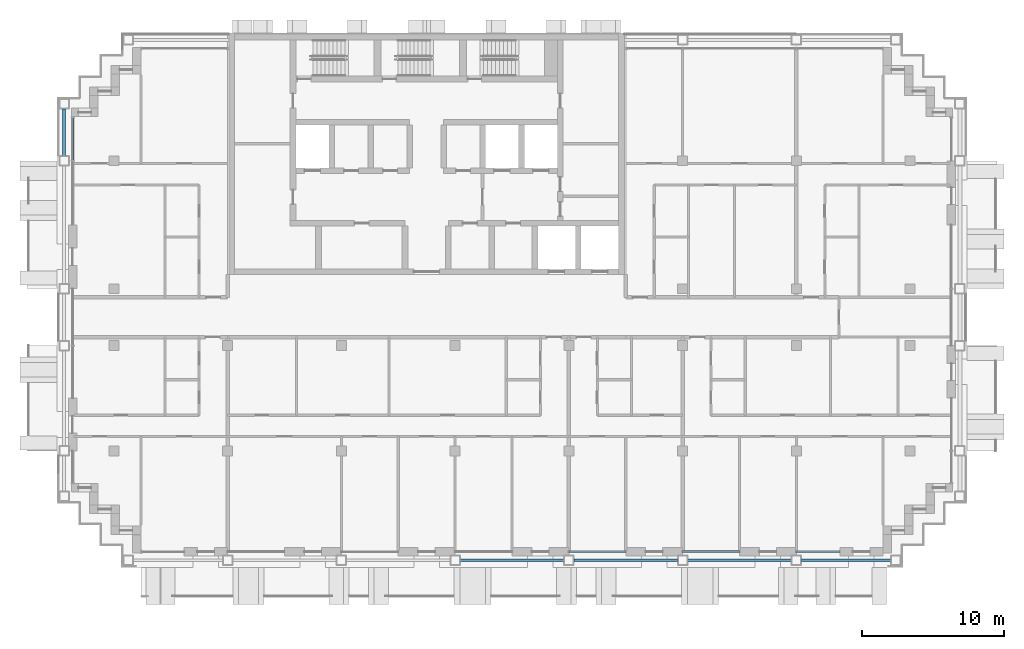
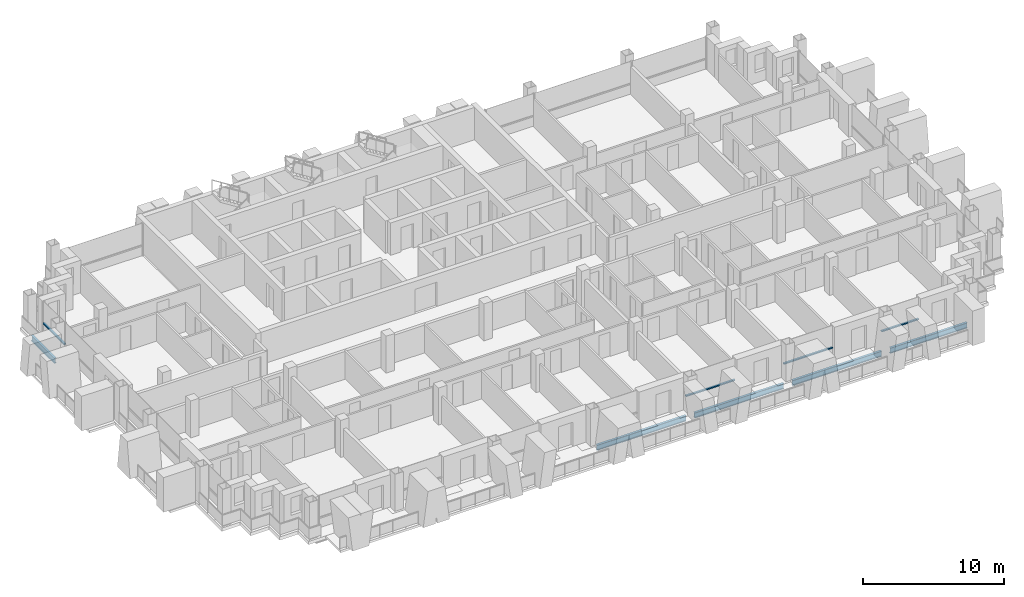
# One storey, part 3 of 16: 5 beams, 4 members, 4 elements without a shape of their own.
"""IFC4 building model written with IfcOpenShell, lengths in metres."""

from ifc_helpers import new_model, si_unit, direction, frame, origin, origin_2d, place, context, subcontext, project, spatial, rectangle, i_section, extrude, material, material_profile, profile_set, type_object, element, aggregate, save


model = new_model("IFC4")

# Units and contexts
model_context = context("Model", 3, precision=1e-05, world=origin(), true_north=direction((0.0, 1.0)))
body_context = subcontext(model_context, "Body", "Model", "MODEL_VIEW")
ifc_project = project(units=[si_unit("LENGTHUNIT", "METRE"), si_unit("AREAUNIT", "SQUARE_METRE"), si_unit("VOLUMEUNIT", "CUBIC_METRE"), si_unit("PLANEANGLEUNIT", "RADIAN"), si_unit("MASSUNIT", "GRAM", prefix="KILO")], contexts=[model_context])

# Site, building, storey
site_placement = place(None, origin())
site = spatial("IfcSite", under=ifc_project, at=site_placement, CompositionType="ELEMENT")
building_placement = place(site_placement, origin())
building = spatial("IfcBuilding", under=site, at=building_placement, Name="Vidyagriha Tower", CompositionType="ELEMENT")
storey_placement = place(building_placement, frame((0.0, 0.0, 190.89990234375)))
storey = spatial("IfcBuildingStorey", under=building, at=storey_placement, Name="L50", CompositionType="ELEMENT", Elevation=190.89990234375)

# Beams
ifc_material_1 = material(Name="Steel ASTM A992 Grade 50", Category="steel")
ifc_material_profile_1 = material_profile(ifc_material_1, i_section(OverallWidth=0.19189453125, OverallDepth=0.46240234375, WebThickness=0.010498046875, FlangeThickness=0.017578125, at=origin_2d()), Name="W18X60")
ifc_profile_set_1 = profile_set([ifc_material_profile_1], Name="Steel ASTM A992 Grade 50")
beam_type = type_object("IfcBeamType", Name="Edge beam W18X60", PredefinedType="SPANDREL", material=ifc_profile_set_1)
for number, where, z_axis, x_axis, name in (
    (1, (2.35009765625, -17.10009765625, -0.510986328125), (1.0, 0.0, 0.0), (0.0, 1.0, 0.0), "st-beam-L50-S04"),
    (2, (10.35009765625, -17.10009765625, -0.510986328125), (1.0, 0.0, 0.0), (0.0, 1.0, 0.0), "st-beam-L50-S05"),
    (3, (18.35009765625, -17.10009765625, -0.510986328125), (1.0, 0.0, 0.0), (0.0, 1.0, 0.0), "st-beam-L50-S06"),
):
    element("IfcBeam", number, at=place(storey_placement, frame(where, z_axis=z_axis, x_axis=x_axis)), inside=storey, type_object=beam_type, Name=name, PredefinedType="SPANDREL", context=body_context, shape_type="SweptSolid", body=[
        extrude(i_section(OverallWidth=0.19189453125, OverallDepth=0.46240234375, WebThickness=0.010498046875, FlangeThickness=0.017578125, at=origin_2d()), origin(), (0.0, 0.0, 1.0), 7.2998046875),
    ])
beam_1_placement = place(storey_placement, frame((26.35009765625, -17.10009765625, -0.510986328125), z_axis=(1.0, 0.0, 0.0), x_axis=(0.0, 1.0, 0.0)))
element("IfcBeam", 4, at=beam_1_placement, inside=storey, type_object=beam_type, Name="st-beam-L50-S07", PredefinedType="SPANDREL", context=body_context, shape_type="SweptSolid", body=[
    extrude(i_section(OverallWidth=0.19189453125, OverallDepth=0.46240234375, WebThickness=0.010498046875, FlangeThickness=0.017578125, at=origin_2d()), origin(), (0.0, 0.0, 1.0), 6.2998046875),
])
beam_2_placement = place(storey_placement, frame((-25.5, 11.35009765625, -0.510986328125), z_axis=(0.0, 1.0, 0.0), x_axis=(-1.0, 0.0, 0.0)))
element("IfcBeam", 5, at=beam_2_placement, inside=storey, type_object=beam_type, Name="st-beam-L50-W12", PredefinedType="SPANDREL", context=body_context, shape_type="SweptSolid", body=[
    extrude(i_section(OverallWidth=0.19189453125, OverallDepth=0.46240234375, WebThickness=0.010498046875, FlangeThickness=0.017578125, at=origin_2d()), origin(), (0.0, 0.0, 1.0), 3.2998046875),
])

# Curtain wall, member
ifc_material_2 = material(Name="Aluminium and glass curtain wall", Category="aluminium")
curtain_wall_type = type_object("IfcCurtainWallType", Name="Dwelling skin unitised curtain wall", PredefinedType="USERDEFINED", material=ifc_material_2)
curtain_wall_1_placement = place(storey_placement, origin())
curtain_wall_1 = element("IfcCurtainWall", 6, at=curtain_wall_1_placement, inside=storey, type_object=curtain_wall_type, Name="CW1 dwelling skin", ObjectType="UNITISED", PredefinedType="USERDEFINED")
ifc_material_3 = material(Name="Aluminium black anodised", Category="aluminium")
ifc_material_profile_2 = material_profile(ifc_material_3, rectangle(XDim=0.159912109375, YDim=0.10009765625, at=origin_2d()), Name="Transom 100x160 black aluminium")
ifc_profile_set_2 = profile_set([ifc_material_profile_2], Name="Aluminium black anodised")
member_type = type_object("IfcMemberType", Name="Transom 100x160 black aluminium", PredefinedType="USERDEFINED", material=ifc_profile_set_2)
member_1_placement = place(storey_placement, frame((-24.89990234375, 14.030029296875, 0.900146484375), z_axis=(0.0, -1.0, 0.0), x_axis=(1.0, 0.0, 0.0)))
member_1 = element("IfcMember", 7, at=member_1_placement, type_object=member_type, Name="CW1 transom 1.1", ObjectType="TRANSOM", PredefinedType="USERDEFINED", context=body_context, shape_type="SweptSolid", body=[
    extrude(rectangle(XDim=0.159912109375, YDim=0.10009765625, at=origin_2d()), origin(), (0.0, 0.0, 1.0), 2.9951171875),
])
aggregate(curtain_wall_1, [member_1])

curtain_wall_2_placement = place(storey_placement, origin())
curtain_wall_2 = element("IfcCurtainWall", 8, at=curtain_wall_2_placement, inside=storey, type_object=curtain_wall_type, Name="CW1 dwelling skin", ObjectType="UNITISED", PredefinedType="USERDEFINED")
member_2_placement = place(storey_placement, frame((10.0, -16.5, 0.900146484375), z_axis=(1.0, 0.0, 0.0), x_axis=(0.0, 1.0, 0.0)))
member_2 = element("IfcMember", 9, at=member_2_placement, type_object=member_type, Name="CW1 transom 1.1", ObjectType="TRANSOM", PredefinedType="USERDEFINED", context=body_context, shape_type="SweptSolid", body=[
    extrude(rectangle(XDim=0.159912109375, YDim=0.10009765625, at=origin_2d()), origin(), (0.0, 0.0, 1.0), 4.0),
])
aggregate(curtain_wall_2, [member_2])

curtain_wall_3_placement = place(storey_placement, origin())
curtain_wall_3 = element("IfcCurtainWall", 10, at=curtain_wall_3_placement, inside=storey, type_object=curtain_wall_type, Name="CW1 dwelling skin", ObjectType="UNITISED", PredefinedType="USERDEFINED")
member_3_placement = place(storey_placement, frame((18.0, -16.5, 0.900146484375), z_axis=(1.0, 0.0, 0.0), x_axis=(0.0, 1.0, 0.0)))
member_3 = element("IfcMember", 11, at=member_3_placement, type_object=member_type, Name="CW1 transom 1.1", ObjectType="TRANSOM", PredefinedType="USERDEFINED", context=body_context, shape_type="SweptSolid", body=[
    extrude(rectangle(XDim=0.159912109375, YDim=0.10009765625, at=origin_2d()), origin(), (0.0, 0.0, 1.0), 4.0),
])
aggregate(curtain_wall_3, [member_3])

curtain_wall_4_placement = place(storey_placement, origin())
curtain_wall_4 = element("IfcCurtainWall", 12, at=curtain_wall_4_placement, inside=storey, type_object=curtain_wall_type, Name="CW1 dwelling skin", ObjectType="UNITISED", PredefinedType="USERDEFINED")
member_4_placement = place(storey_placement, frame((26.0, -16.5, 0.900146484375), z_axis=(1.0, 0.0, 0.0), x_axis=(0.0, 1.0, 0.0)))
member_4 = element("IfcMember", 13, at=member_4_placement, type_object=member_type, Name="CW1 transom 1.1", ObjectType="TRANSOM", PredefinedType="USERDEFINED", context=body_context, shape_type="SweptSolid", body=[
    extrude(rectangle(XDim=0.159912109375, YDim=0.10009765625, at=origin_2d()), origin(), (0.0, 0.0, 1.0), 3.050048828125),
])
aggregate(curtain_wall_4, [member_4])

save(model, "model.ifc")
